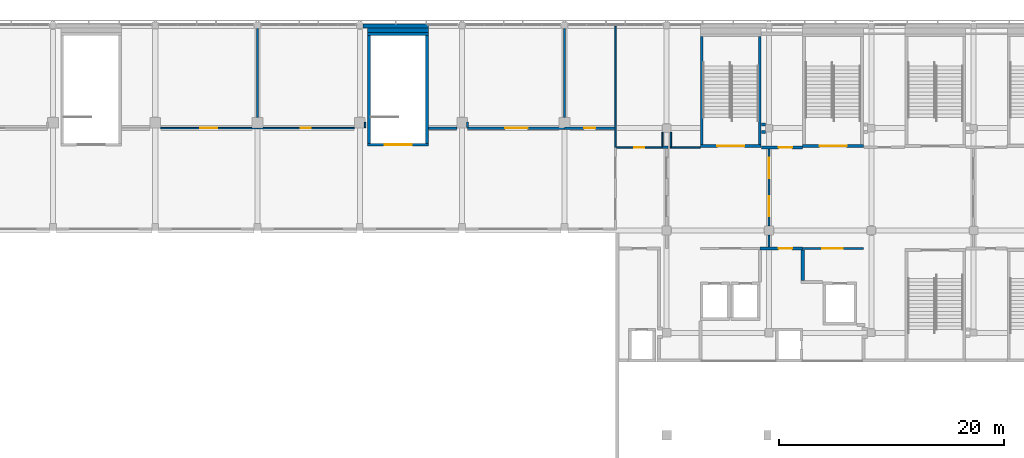
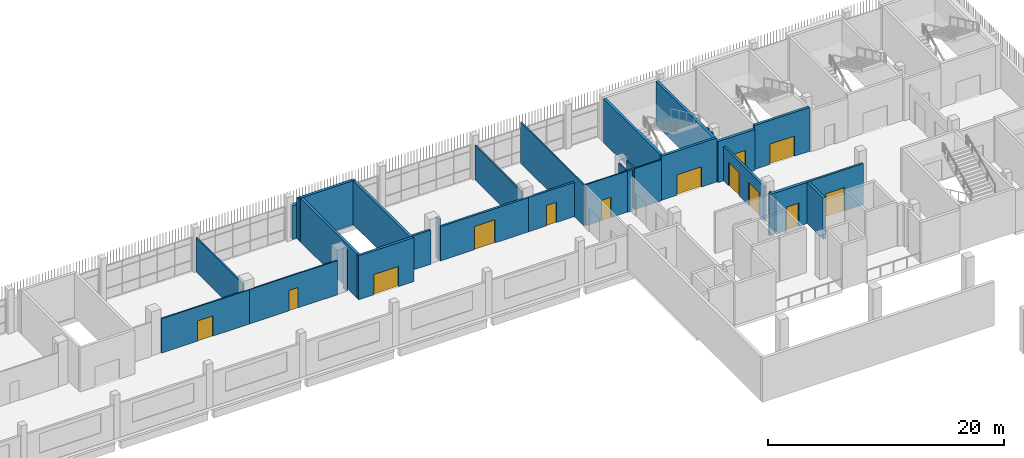
# One storey, part 65 of 104: 33 walls, 13 doors, 13 openings.
"""IFC4 building model written with IfcOpenShell, lengths in metres."""

from ifc_helpers import new_model, si_unit, direction, frame, frame_2d, origin, place, context, subcontext, project, spatial, rectangle, extrude, material, layer, layer_set, type_object, element, fill, save


model = new_model("IFC4")

# Units and contexts
model_context = context("Model", 3, precision=1e-05, world=origin(), true_north=direction((0.0, 1.0)))
body_context = subcontext(model_context, "Body", "Model", "MODEL_VIEW")
ifc_project = project(units=[si_unit("LENGTHUNIT", "METRE"), si_unit("AREAUNIT", "SQUARE_METRE"), si_unit("VOLUMEUNIT", "CUBIC_METRE"), si_unit("PLANEANGLEUNIT", "RADIAN"), si_unit("MASSUNIT", "GRAM", prefix="KILO")], contexts=[model_context])

# Site, building, storey
site_placement = place(None, origin())
site = spatial("IfcSite", under=ifc_project, at=site_placement, CompositionType="ELEMENT")
building_placement = place(site_placement, origin())
building = spatial("IfcBuilding", under=site, at=building_placement, Name="Shirokan Park Arena", CompositionType="ELEMENT")
storey_placement = place(building_placement, frame((0.0, 0.0, 10.919921875)))
storey = spatial("IfcBuildingStorey", under=building, at=storey_placement, Name="L02", CompositionType="ELEMENT", Elevation=10.919921875)

# Wall
ifc_material_1 = material(Name="Gypsum board")
ifc_layer_1 = layer(ifc_material_1, 0.02490234375, Name="Gypsum board, two layers")
ifc_material_2 = material(Name="Mineral wool insulation")
ifc_layer_2 = layer(ifc_material_2, 0.14990234375, Name="Mineral wool insulation")
ifc_layer_3 = layer(ifc_material_1, 0.02490234375, Name="Gypsum board, two layers")
ifc_layer_set_1 = layer_set([ifc_layer_1, ifc_layer_2, ifc_layer_3], Name="Gypsum board, two layers + Mineral wool insulation")
wall_type_1 = type_object("IfcWallType", Name="Corridor wall 200", PredefinedType="PARTITIONING", material=ifc_layer_set_1)
wall_1_placement = place(storey_placement, frame((88.030029296875, 100.10009765625, 0.0), z_axis=(0.0, 0.0, 1.0), x_axis=(1.0, 0.0, 0.0)))
element("IfcWall", 1, at=wall_1_placement, inside=storey, type_object=wall_type_1, Name="Corridor wall 200 L02", PredefinedType="PARTITIONING", context=body_context, shape_type="SweptSolid", body=[
    extrude(rectangle(XDim=2.494873046875, YDim=0.199951171875, at=frame_2d((1.24755859375, 0.0))), origin(), (0.0, 0.0, 1.0), 3.550048828125),
])

# Wall, opening, door
wall_2_placement = place(storey_placement, frame((91.47509765625, 100.10009765625, 0.0), z_axis=(0.0, 0.0, 1.0), x_axis=(1.0, 0.0, 0.0)))
wall_2 = element("IfcWall", 2, at=wall_2_placement, inside=storey, type_object=wall_type_1, Name="Corridor wall 200 L02", PredefinedType="PARTITIONING", context=body_context, shape_type="SweptSolid", body=[
    extrude(rectangle(XDim=8.625, YDim=0.199951171875, at=frame_2d((4.3125, 0.0))), origin(), (0.0, 0.0, 1.0), 3.550048828125),
])
opening_1_placement = place(wall_2_placement, frame((3.35009765625, 0.0, 0.0)))
opening_1 = element("IfcOpeningElement", 3, at=opening_1_placement, cuts=wall_2, Name="Opening D-2035", PredefinedType="OPENING", context=body_context, shape_type="SweptSolid", body=[
    extrude(rectangle(XDim=2.0, YDim=2.39990234375, at=frame_2d((1.0, 1.199951171875))), frame((0.0, 0.10986328125, 0.0), z_axis=(0.0, -1.0, 0.0), x_axis=(1.0, 0.0, 0.0)), (0.0, 0.0, 1.0), 0.219970703125),
])
ifc_material_3 = material(Name="Glazed timber door set, fire resisting", Category="wood")
door_type_1 = type_object("IfcDoorType", Name="Club lounge door 2000 x 2400", OperationType="DOUBLE_DOOR_SINGLE_SWING", PredefinedType="DOOR", material=ifc_material_3)
door_1_placement = place(opening_1_placement, origin())
door_1 = element("IfcDoor", 4, at=door_1_placement, inside=storey, type_object=door_type_1, Name="Door to Club Bar 2.35 D-2035", OperationType="DOUBLE_DOOR_SINGLE_SWING", OverallHeight=2.39990234375, OverallWidth=2.0, PredefinedType="DOOR", context=body_context, shape_type="SweptSolid", body=[
    extrude(rectangle(XDim=2.0, YDim=2.39990234375, at=frame_2d((1.0, 1.199951171875))), frame((0.0, 0.02490234375, 0.0), z_axis=(0.0, -1.0, 0.0), x_axis=(1.0, 0.0, 0.0)), (0.0, 0.0, 1.0), 0.050048828125),
])
fill(opening_1, door_1)

# Wall
wall_3_placement = place(storey_placement, frame((91.47509765625, 100.64990234375, 0.0), z_axis=(0.0, 0.0, 1.0), x_axis=(0.0, -1.0, 0.0)))
element("IfcWall", 5, at=wall_3_placement, inside=storey, type_object=wall_type_1, Name="Corridor wall 200 L02", PredefinedType="PARTITIONING", context=body_context, shape_type="SweptSolid", body=[
    extrude(rectangle(XDim=0.474853515625, YDim=0.199951171875, at=frame_2d((0.2373046875, 0.0))), origin(), (0.0, 0.0, 1.0), 4.25),
])

# Wall, opening, door
wall_4_placement = place(storey_placement, frame((100.10009765625, 100.10009765625, 0.0), z_axis=(0.0, 0.0, 1.0), x_axis=(1.0, 0.0, 0.0)))
wall_4 = element("IfcWall", 6, at=wall_4_placement, inside=storey, type_object=wall_type_1, Name="Corridor wall 200 L02", PredefinedType="PARTITIONING", context=body_context, shape_type="SweptSolid", body=[
    extrude(rectangle(XDim=4.4873046875, YDim=0.199951171875, at=frame_2d((2.24365234375, 0.0))), origin(), (0.0, 0.0, 1.0), 3.550048828125),
])
opening_2_placement = place(wall_4_placement, frame((1.75, 0.0, 0.0)))
opening_2 = element("IfcOpeningElement", 7, at=opening_2_placement, cuts=wall_4, Name="Opening D-2036", PredefinedType="OPENING", context=body_context, shape_type="SweptSolid", body=[
    extrude(rectangle(XDim=1.0, YDim=2.10009765625, at=frame_2d((0.5, 1.050048828125))), frame((0.0, 0.10986328125, 0.0), z_axis=(0.0, -1.0, 0.0), x_axis=(1.0, 0.0, 0.0)), (0.0, 0.0, 1.0), 0.219970703125),
])
ifc_material_4 = material(Name="Timber door set, fire resisting", Category="wood")
door_type_2 = type_object("IfcDoorType", Name="Door 1000 x 2100", OperationType="SINGLE_SWING_LEFT", PredefinedType="DOOR", material=ifc_material_4)
door_2_placement = place(opening_2_placement, origin())
door_2 = element("IfcDoor", 8, at=door_2_placement, inside=storey, type_object=door_type_2, Name="Door to Club Office 2.36 D-2036", OperationType="SINGLE_SWING_LEFT", OverallHeight=2.10009765625, OverallWidth=1.0, PredefinedType="DOOR", context=body_context, shape_type="SweptSolid", body=[
    extrude(rectangle(XDim=1.0, YDim=2.10009765625, at=frame_2d((0.5, 1.050048828125))), frame((0.0, 0.02490234375, 0.0), z_axis=(0.0, -1.0, 0.0), x_axis=(1.0, 0.0, 0.0)), (0.0, 0.0, 1.0), 0.050048828125),
])
fill(opening_2, door_2)

# Walls
wall_5_placement = place(storey_placement, frame((109.300048828125, 98.39990234375, 0.0), z_axis=(0.0, 0.0, 1.0), x_axis=(-1.0, 0.0, 0.0)))
element("IfcWall", 9, at=wall_5_placement, inside=storey, type_object=wall_type_1, Name="Corridor wall 200 L02", PredefinedType="PARTITIONING", context=body_context, shape_type="SweptSolid", body=[
    extrude(rectangle(XDim=0.47509765625, YDim=0.199951171875, at=frame_2d((0.237548828125, 0.0))), origin(), (0.0, 0.0, 1.0), 4.25),
])
wall_6_placement = place(storey_placement, frame((118.300048828125, 89.53759765625, 0.0), z_axis=(0.0, 0.0, 1.0), x_axis=(0.0, 1.0, 0.0)))
element("IfcWall", 10, at=wall_6_placement, inside=storey, type_object=wall_type_1, Name="Corridor wall 200 L02", PredefinedType="PARTITIONING", context=body_context, shape_type="SweptSolid", body=[
    extrude(rectangle(XDim=1.0625, YDim=0.199951171875, at=frame_2d((0.53125, 0.0))), origin(), (0.0, 0.0, 1.0), 3.550048828125),
])

# Wall, openings, doors
wall_7_placement = place(storey_placement, frame((118.300048828125, 91.39990234375, 0.0), z_axis=(0.0, 0.0, 1.0), x_axis=(0.0, 1.0, 0.0)))
wall_7 = element("IfcWall", 11, at=wall_7_placement, inside=storey, type_object=wall_type_1, Name="Corridor wall 200 L02", PredefinedType="PARTITIONING", context=body_context, shape_type="SweptSolid", body=[
    extrude(rectangle(XDim=6.862548828125, YDim=0.199951171875, at=frame_2d((3.43115234375, 0.0))), origin(), (0.0, 0.0, 1.0), 3.550048828125),
])
opening_3_placement = place(wall_7_placement, frame((0.85009765625, 0.0, 0.0)))
opening_3 = element("IfcOpeningElement", 12, at=opening_3_placement, cuts=wall_7, Name="Opening D-2065", PredefinedType="OPENING", context=body_context, shape_type="SweptSolid", body=[
    extrude(rectangle(XDim=1.800048828125, YDim=2.39990234375, at=frame_2d((0.89990234375, 1.199951171875))), frame((0.0, 0.10986328125, 0.0), z_axis=(0.0, -1.0, 0.0), x_axis=(1.0, 0.0, 0.0)), (0.0, 0.0, 1.0), 0.219970703125),
])
opening_4_placement = place(wall_7_placement, frame((4.25, 0.0, 0.0)))
opening_4 = element("IfcOpeningElement", 13, at=opening_4_placement, cuts=wall_7, Name="Opening D-2066", PredefinedType="OPENING", context=body_context, shape_type="SweptSolid", body=[
    extrude(rectangle(XDim=1.800048828125, YDim=2.39990234375, at=frame_2d((0.89990234375, 1.199951171875))), frame((0.0, 0.10986328125, 0.0), z_axis=(0.0, -1.0, 0.0), x_axis=(1.0, 0.0, 0.0)), (0.0, 0.0, 1.0), 0.219970703125),
])
ifc_material_5 = material(Name="Glazed steel door set, fire resisting", Category="steel")
door_type_3 = type_object("IfcDoorType", Name="Lift lobby door 1800 x 2400", OperationType="DOUBLE_DOOR_SINGLE_SWING", PredefinedType="DOOR", material=ifc_material_5)
door_3_placement = place(opening_3_placement, origin())
door_3 = element("IfcDoor", 14, at=door_3_placement, inside=storey, type_object=door_type_3, Name="Door between Club Foyer 3.2.2 and Club Reception 3.2.3 D-2065", OperationType="DOUBLE_DOOR_SINGLE_SWING", OverallHeight=2.39990234375, OverallWidth=1.800048828125, PredefinedType="DOOR", context=body_context, shape_type="SweptSolid", body=[
    extrude(rectangle(XDim=1.800048828125, YDim=2.39990234375, at=frame_2d((0.89990234375, 1.199951171875))), frame((0.0, 0.02490234375, 0.0), z_axis=(0.0, -1.0, 0.0), x_axis=(1.0, 0.0, 0.0)), (0.0, 0.0, 1.0), 0.050048828125),
])
fill(opening_3, door_3)
door_4_placement = place(opening_4_placement, origin())
door_4 = element("IfcDoor", 15, at=door_4_placement, inside=storey, type_object=door_type_3, Name="Door between Club Foyer 3.2.2 and Club Reception 3.2.3 D-2066", OperationType="DOUBLE_DOOR_SINGLE_SWING", OverallHeight=2.39990234375, OverallWidth=1.800048828125, PredefinedType="DOOR", context=body_context, shape_type="SweptSolid", body=[
    extrude(rectangle(XDim=1.800048828125, YDim=2.39990234375, at=frame_2d((0.89990234375, 1.199951171875))), frame((0.0, 0.02490234375, 0.0), z_axis=(0.0, -1.0, 0.0), x_axis=(1.0, 0.0, 0.0)), (0.0, 0.0, 1.0), 0.050048828125),
])
fill(opening_4, door_4)

# Wall, opening, door
wall_8_placement = place(storey_placement, frame((126.699951171875, 89.39990234375, 0.0), z_axis=(0.0, 0.0, 1.0), x_axis=(-1.0, 0.0, 0.0)))
wall_8 = element("IfcWall", 16, at=wall_8_placement, inside=storey, type_object=wall_type_1, Name="Corridor wall 200 L02", PredefinedType="PARTITIONING", context=body_context, shape_type="SweptSolid", body=[
    extrude(rectangle(XDim=5.39990234375, YDim=0.199951171875, at=frame_2d((2.699951171875, 0.0))), origin(), (0.0, 0.0, 1.0), 4.25),
])
opening_5_placement = place(wall_8_placement, frame((1.85009765625, 0.0, 0.0)))
opening_5 = element("IfcOpeningElement", 17, at=opening_5_placement, cuts=wall_8, Name="Opening D-2067", PredefinedType="OPENING", context=body_context, shape_type="SweptSolid", body=[
    extrude(rectangle(XDim=1.800048828125, YDim=2.39990234375, at=frame_2d((0.89990234375, 1.199951171875))), frame((0.0, 0.10986328125, 0.0), z_axis=(0.0, -1.0, 0.0), x_axis=(1.0, 0.0, 0.0)), (0.0, 0.0, 1.0), 0.219970703125),
])
door_5_placement = place(opening_5_placement, origin())
door_5 = element("IfcDoor", 18, at=door_5_placement, inside=storey, type_object=door_type_3, Name="Door between Club Foyer 3.2.2 and Service Lift Lobby 3.2 D-2067", OperationType="DOUBLE_DOOR_SINGLE_SWING", OverallHeight=2.39990234375, OverallWidth=1.800048828125, PredefinedType="DOOR", context=body_context, shape_type="SweptSolid", body=[
    extrude(rectangle(XDim=1.800048828125, YDim=2.39990234375, at=frame_2d((0.89990234375, 1.199951171875))), frame((0.0, 0.02490234375, 0.0), z_axis=(0.0, -1.0, 0.0), x_axis=(1.0, 0.0, 0.0)), (0.0, 0.0, 1.0), 0.050048828125),
])
fill(opening_5, door_5)

# Wall
ifc_material_6 = material(Name="Cedar cladding")
ifc_layer_4 = layer(ifc_material_6, 0.030029296875, Name="Cedar cladding")
ifc_layer_5 = layer(ifc_material_2, 0.10009765625, Name="Mineral wool insulation")
ifc_material_7 = material(Name="Concrete C35", Category="concrete")
ifc_layer_6 = layer(ifc_material_7, 0.199951171875, Name="Concrete C35")
ifc_material_8 = material(Name="Gypsum board lining")
ifc_layer_7 = layer(ifc_material_8, 0.02001953125, Name="Gypsum board lining")
ifc_layer_set_2 = layer_set([ifc_layer_4, ifc_layer_5, ifc_layer_6, ifc_layer_7], Name="Cedar cladding + Mineral wool insulation + Concrete C35 + Gypsum board lining")
wall_type_2 = type_object("IfcWallType", Name="Insulated tower wall 350", PredefinedType="SOLIDWALL", material=ifc_layer_set_2)
wall_9_placement = place(storey_placement, frame((88.0, 109.175048828125, 0.0), z_axis=(0.0, 0.0, 1.0), x_axis=(-1.0, 0.0, 0.0)))
element("IfcWall", 19, at=wall_9_placement, inside=storey, type_object=wall_type_2, Name="North facade wall bay 7 L02", PredefinedType="SOLIDWALL", context=body_context, shape_type="SweptSolid", body=[
    extrude(rectangle(XDim=5.824951171875, YDim=0.35009765625, at=frame_2d((2.91259765625, 0.0))), origin(), (0.0, 0.0, 1.0), 3.5),
])

# Wall, opening, door
ifc_material_9 = material(Name="Ceramic tile")
ifc_layer_8 = layer(ifc_material_9, 0.010009765625, Name="Ceramic tile")
ifc_material_10 = material(Name="Render")
ifc_layer_9 = layer(ifc_material_10, 0.010009765625, Name="Render")
ifc_material_11 = material(Name="Concrete blockwork", Category="masonry")
ifc_layer_10 = layer(ifc_material_11, 0.10009765625, Name="Concrete blockwork 100")
ifc_layer_11 = layer(ifc_material_10, 0.010009765625, Name="Render")
ifc_layer_12 = layer(ifc_material_9, 0.010009765625, Name="Ceramic tile")
ifc_layer_set_3 = layer_set([ifc_layer_8, ifc_layer_9, ifc_layer_10, ifc_layer_11, ifc_layer_12], Name="Ceramic tile + Render + Concrete blockwork 100")
wall_type_3 = type_object("IfcWallType", Name="Kitchen wall 140", PredefinedType="SOLIDWALL", material=ifc_layer_set_3)
wall_10_placement = place(storey_placement, frame((64.175048828125, 100.10009765625, 0.0), z_axis=(0.0, 0.0, 1.0), x_axis=(1.0, 0.0, 0.0)))
wall_10 = element("IfcWall", 20, at=wall_10_placement, inside=storey, type_object=wall_type_3, Name="Kitchen wall 140 L02", PredefinedType="SOLIDWALL", context=body_context, shape_type="SweptSolid", body=[
    extrude(rectangle(XDim=8.625, YDim=0.139892578125, at=frame_2d((4.3125, 0.0))), origin(), (0.0, 0.0, 1.0), 3.550048828125),
])
opening_6_placement = place(wall_10_placement, frame((3.550048828125, 0.0, 0.0)))
opening_6 = element("IfcOpeningElement", 21, at=opening_6_placement, cuts=wall_10, Name="Opening D-2033", PredefinedType="OPENING", context=body_context, shape_type="SweptSolid", body=[
    extrude(rectangle(XDim=1.5, YDim=2.10009765625, at=frame_2d((0.75, 1.050048828125))), frame((0.0, 0.079833984375, 0.0), z_axis=(0.0, -1.0, 0.0), x_axis=(1.0, 0.0, 0.0)), (0.0, 0.0, 1.0), 0.159912109375),
])
ifc_material_12 = material(Name="Stainless steel door set, fire resisting", Category="steel")
door_type_4 = type_object("IfcDoorType", Name="Kitchen door 1500 x 2100", OperationType="DOUBLE_DOOR_SINGLE_SWING", PredefinedType="DOOR", material=ifc_material_12)
door_6_placement = place(opening_6_placement, origin())
door_6 = element("IfcDoor", 22, at=door_6_placement, inside=storey, type_object=door_type_4, Name="Door to Club Kitchen 2.33 D-2033", OperationType="DOUBLE_DOOR_SINGLE_SWING", OverallHeight=2.10009765625, OverallWidth=1.5, PredefinedType="DOOR", context=body_context, shape_type="SweptSolid", body=[
    extrude(rectangle(XDim=1.5, YDim=2.10009765625, at=frame_2d((0.75, 1.050048828125))), frame((0.0, 0.02490234375, 0.0), z_axis=(0.0, -1.0, 0.0), x_axis=(1.0, 0.0, 0.0)), (0.0, 0.0, 1.0), 0.050048828125),
])
fill(opening_6, door_6)

# Wall
wall_11_placement = place(storey_placement, frame((72.800048828125, 108.97509765625, 0.0), z_axis=(0.0, 0.0, 1.0), x_axis=(0.0, -1.0, 0.0)))
element("IfcWall", 23, at=wall_11_placement, inside=storey, type_object=wall_type_3, Name="Kitchen wall 140 L02", PredefinedType="SOLIDWALL", context=body_context, shape_type="SweptSolid", body=[
    extrude(rectangle(XDim=7.925048828125, YDim=0.139892578125, at=frame_2d((3.96240234375, 0.0))), origin(), (0.0, 0.0, 1.0), 3.550048828125),
])

# Wall, opening, door
ifc_material_13 = material(Name="Plaster")
ifc_layer_13 = layer(ifc_material_13, 0.012451171875, Name="Plaster")
ifc_layer_14 = layer(ifc_material_11, 0.25, Name="Concrete blockwork 250")
ifc_layer_15 = layer(ifc_material_13, 0.012451171875, Name="Plaster")
ifc_layer_set_4 = layer_set([ifc_layer_13, ifc_layer_14, ifc_layer_15], Name="Plaster + Concrete blockwork 250")
wall_type_4 = type_object("IfcWallType", Name="Plant room wall 275", PredefinedType="SOLIDWALL", material=ifc_layer_set_4)
wall_12_placement = place(storey_placement, frame((117.6298828125, 98.39990234375, 0.0), z_axis=(0.0, 0.0, 1.0), x_axis=(1.0, 0.0, 0.0)))
wall_12 = element("IfcWall", 24, at=wall_12_placement, inside=storey, type_object=wall_type_4, Name="Plant room wall 275 L02", PredefinedType="SOLIDWALL", context=body_context, shape_type="SweptSolid", body=[
    extrude(rectangle(XDim=3.64013671875, YDim=0.27490234375, at=frame_2d((1.820068359375, 0.0))), origin(), (0.0, 0.0, 1.0), 4.25),
])
opening_7_placement = place(wall_12_placement, frame((1.52001953125, 0.0, 0.0)))
opening_7 = element("IfcOpeningElement", 25, at=opening_7_placement, cuts=wall_12, Name="Opening D-2022", PredefinedType="OPENING", context=body_context, shape_type="SweptSolid", body=[
    extrude(rectangle(XDim=1.199951171875, YDim=2.39990234375, at=frame_2d((0.60009765625, 1.199951171875))), frame((0.0, 0.1474609375, 0.0), z_axis=(0.0, -1.0, 0.0), x_axis=(1.0, 0.0, 0.0)), (0.0, 0.0, 1.0), 0.294921875),
])
ifc_material_14 = material(Name="Louvred steel door set, fire resisting", Category="steel")
door_type_5 = type_object("IfcDoorType", Name="Plant room door 1200 x 2400", OperationType="SINGLE_SWING_LEFT", PredefinedType="DOOR", material=ifc_material_14)
door_7_placement = place(opening_7_placement, origin())
door_7 = element("IfcDoor", 26, at=door_7_placement, inside=storey, type_object=door_type_5, Name="Door to Electrical Room 2.32 D-2022", OperationType="SINGLE_SWING_RIGHT", OverallHeight=2.39990234375, OverallWidth=1.199951171875, PredefinedType="DOOR", context=body_context, shape_type="SweptSolid", body=[
    extrude(rectangle(XDim=1.199951171875, YDim=2.39990234375, at=frame_2d((0.60009765625, 1.199951171875))), frame((0.0, 0.02490234375, 0.0), z_axis=(0.0, -1.0, 0.0), x_axis=(1.0, 0.0, 0.0)), (0.0, 0.0, 1.0), 0.050048828125),
])
fill(opening_7, door_7)

# Walls
for number, where, z_axis, x_axis, name in (
    (27, (117.6298828125, 99.77490234375, 0.0), (0.0, 0.0, 1.0), (1.0, 0.0, 0.0), "Plant room wall 275 L02"),
    (28, (117.97509765625, 100.425048828125, 0.0), (0.0, 0.0, 1.0), (-1.0, 0.0, 0.0), "Plant room wall 275 L02"),
):
    element("IfcWall", number, at=place(storey_placement, frame(where, z_axis=z_axis, x_axis=x_axis)), inside=storey, type_object=wall_type_4, Name=name, PredefinedType="SOLIDWALL", context=body_context, shape_type="SweptSolid", body=[
        extrude(rectangle(XDim=0.34521484375, YDim=0.27490234375, at=frame_2d((0.172607421875, 0.0))), origin(), (0.0, 0.0, 1.0), 4.25),
    ])

# Wall, opening, door
wall_13_placement = place(storey_placement, frame((117.5, 89.39990234375, 0.0), z_axis=(0.0, 0.0, 1.0), x_axis=(1.0, 0.0, 0.0)))
wall_13 = element("IfcWall", 29, at=wall_13_placement, inside=storey, type_object=wall_type_4, Name="Plant room wall 275 L02", PredefinedType="SOLIDWALL", context=body_context, shape_type="SweptSolid", body=[
    extrude(rectangle(XDim=3.800048828125, YDim=0.27490234375, at=frame_2d((1.89990234375, 0.0))), origin(), (0.0, 0.0, 1.0), 4.25),
])
opening_8_placement = place(wall_13_placement, frame((1.64990234375, 0.0, 0.0)))
opening_8 = element("IfcOpeningElement", 30, at=opening_8_placement, cuts=wall_13, Name="Opening D-2018", PredefinedType="OPENING", context=body_context, shape_type="SweptSolid", body=[
    extrude(rectangle(XDim=1.199951171875, YDim=2.39990234375, at=frame_2d((0.60009765625, 1.199951171875))), frame((0.0, 0.1474609375, 0.0), z_axis=(0.0, -1.0, 0.0), x_axis=(1.0, 0.0, 0.0)), (0.0, 0.0, 1.0), 0.294921875),
])
door_8_placement = place(opening_8_placement, origin())
door_8 = element("IfcDoor", 31, at=door_8_placement, inside=storey, type_object=door_type_5, Name="Door to Electrical Room 2.38 D-2018", OperationType="SINGLE_SWING_LEFT", OverallHeight=2.39990234375, OverallWidth=1.199951171875, PredefinedType="DOOR", context=body_context, shape_type="SweptSolid", body=[
    extrude(rectangle(XDim=1.199951171875, YDim=2.39990234375, at=frame_2d((0.60009765625, 1.199951171875))), frame((0.0, 0.02490234375, 0.0), z_axis=(0.0, -1.0, 0.0), x_axis=(1.0, 0.0, 0.0)), (0.0, 0.0, 1.0), 0.050048828125),
])
fill(opening_8, door_8)

# Wall
wall_14_placement = place(storey_placement, frame((121.300048828125, 89.262451171875, 0.0), z_axis=(0.0, 0.0, 1.0), x_axis=(0.0, -1.0, 0.0)))
element("IfcWall", 32, at=wall_14_placement, inside=storey, type_object=wall_type_4, Name="Plant room wall 275 L02", PredefinedType="SOLIDWALL", context=body_context, shape_type="SweptSolid", body=[
    extrude(rectangle(XDim=2.724853515625, YDim=0.27490234375, at=frame_2d((1.3623046875, 0.0))), origin(), (0.0, 0.0, 1.0), 4.25),
])

# Wall, opening, door
ifc_material_15 = material(Name="Concrete C40/50", Category="concrete")
ifc_layer_16 = layer(ifc_material_15, 0.25)
ifc_layer_set_5 = layer_set([ifc_layer_16], Name="Concrete C40/50 250 mm")
wall_type_5 = type_object("IfcWallType", Name="RC shear wall 250", PredefinedType="SHEAR", material=ifc_layer_set_5)
wall_15_placement = place(storey_placement, frame((126.699951171875, 98.52490234375, 0.0), z_axis=(0.0, 0.0, 1.0), x_axis=(-1.0, 0.0, 0.0)))
wall_15 = element("IfcWall", 33, at=wall_15_placement, inside=storey, type_object=wall_type_5, Name="Shaft wall Exit Stair 3.C S L02", PredefinedType="SHEAR", context=body_context, shape_type="SweptSolid", body=[
    extrude(rectangle(XDim=5.39990234375, YDim=0.25, at=frame_2d((2.699951171875, 0.0))), origin(), (0.0, 0.0, 1.0), 4.550048828125),
])
opening_9_placement = place(wall_15_placement, frame((1.5, 0.0, 0.0)))
opening_9 = element("IfcOpeningElement", 34, at=opening_9_placement, cuts=wall_15, Name="Opening D-2108", PredefinedType="OPENING", context=body_context, shape_type="SweptSolid", body=[
    extrude(rectangle(XDim=2.39990234375, YDim=2.10009765625, at=frame_2d((1.199951171875, 1.050048828125))), frame((0.0, 0.135009765625, 0.0), z_axis=(0.0, -1.0, 0.0), x_axis=(1.0, 0.0, 0.0)), (0.0, 0.0, 1.0), 0.27001953125),
])
ifc_material_16 = material(Name="Steel door set, fire resisting", Category="steel")
door_type_6 = type_object("IfcDoorType", Name="Stair door 2400 x 2100", OperationType="DOUBLE_DOOR_SINGLE_SWING", PredefinedType="DOOR", material=ifc_material_16)
door_9_placement = place(opening_9_placement, origin())
door_9 = element("IfcDoor", 35, at=door_9_placement, inside=storey, type_object=door_type_6, Name="Stair door Exit Stair 3.C D-2108", OperationType="DOUBLE_DOOR_SINGLE_SWING", OverallHeight=2.10009765625, OverallWidth=2.39990234375, PredefinedType="DOOR", context=body_context, shape_type="SweptSolid", body=[
    extrude(rectangle(XDim=2.39990234375, YDim=2.10009765625, at=frame_2d((1.199951171875, 1.050048828125))), frame((0.0, 0.02490234375, 0.0), z_axis=(0.0, -1.0, 0.0), x_axis=(1.0, 0.0, 0.0)), (0.0, 0.0, 1.0), 0.050048828125),
])
fill(opening_9, door_9)

wall_16_placement = place(storey_placement, frame((117.60009765625, 98.52490234375, 0.0), z_axis=(0.0, 0.0, 1.0), x_axis=(-1.0, 0.0, 0.0)))
wall_16 = element("IfcWall", 36, at=wall_16_placement, inside=storey, type_object=wall_type_5, Name="Shaft wall Exit Stair 3.D S L02", PredefinedType="SHEAR", context=body_context, shape_type="SweptSolid", body=[
    extrude(rectangle(XDim=5.400146484375, YDim=0.25, at=frame_2d((2.7001953125, 0.0))), origin(), (0.0, 0.0, 1.0), 4.550048828125),
])
opening_10_placement = place(wall_16_placement, frame((1.5, 0.0, 0.0)))
opening_10 = element("IfcOpeningElement", 37, at=opening_10_placement, cuts=wall_16, Name="Opening D-2109", PredefinedType="OPENING", context=body_context, shape_type="SweptSolid", body=[
    extrude(rectangle(XDim=2.39990234375, YDim=2.10009765625, at=frame_2d((1.199951171875, 1.050048828125))), frame((0.0, 0.135009765625, 0.0), z_axis=(0.0, -1.0, 0.0), x_axis=(1.0, 0.0, 0.0)), (0.0, 0.0, 1.0), 0.27001953125),
])
door_10_placement = place(opening_10_placement, origin())
door_10 = element("IfcDoor", 38, at=door_10_placement, inside=storey, type_object=door_type_6, Name="Stair door Exit Stair 3.D D-2109", OperationType="DOUBLE_DOOR_SINGLE_SWING", OverallHeight=2.10009765625, OverallWidth=2.39990234375, PredefinedType="DOOR", context=body_context, shape_type="SweptSolid", body=[
    extrude(rectangle(XDim=2.39990234375, YDim=2.10009765625, at=frame_2d((1.199951171875, 1.050048828125))), frame((0.0, 0.02490234375, 0.0), z_axis=(0.0, -1.0, 0.0), x_axis=(1.0, 0.0, 0.0)), (0.0, 0.0, 1.0), 0.050048828125),
])
fill(opening_10, door_10)

# Walls
for number, where, z_axis, x_axis, name in (
    (39, (112.324951171875, 108.25, 0.0), (0.0, 0.0, 1.0), (0.0, -1.0, 0.0), "Shaft wall Exit Stair 3.D W L02"),
    (40, (117.47509765625, 108.25, 0.0), (0.0, 0.0, 1.0), (0.0, -1.0, 0.0), "Shaft wall Exit Stair 3.D E L02"),
):
    element("IfcWall", number, at=place(storey_placement, frame(where, z_axis=z_axis, x_axis=x_axis)), inside=storey, type_object=wall_type_5, Name=name, PredefinedType="SHEAR", context=body_context, shape_type="SweptSolid", body=[
        extrude(rectangle(XDim=9.60009765625, YDim=0.25, at=frame_2d((4.800048828125, 0.0))), origin(), (0.0, 0.0, 1.0), 4.550048828125),
    ])

# Wall, opening, door
wall_17_placement = place(storey_placement, frame((88.0, 98.625, 0.0), z_axis=(0.0, 0.0, 1.0), x_axis=(-1.0, 0.0, 0.0)))
wall_17 = element("IfcWall", 41, at=wall_17_placement, inside=storey, type_object=wall_type_5, Name="Shaft wall Entrance Stair E4.2 S L02", PredefinedType="SHEAR", context=body_context, shape_type="SweptSolid", body=[
    extrude(rectangle(XDim=5.39990234375, YDim=0.25, at=frame_2d((2.699951171875, 0.0))), origin(), (0.0, 0.0, 1.0), 4.550048828125),
])
opening_11_placement = place(wall_17_placement, frame((1.5, 0.0, 0.0)))
opening_11 = element("IfcOpeningElement", 42, at=opening_11_placement, cuts=wall_17, Name="Opening D-2113", PredefinedType="OPENING", context=body_context, shape_type="SweptSolid", body=[
    extrude(rectangle(XDim=2.39990234375, YDim=2.10009765625, at=frame_2d((1.199951171875, 1.050048828125))), frame((0.0, 0.135009765625, 0.0), z_axis=(0.0, -1.0, 0.0), x_axis=(1.0, 0.0, 0.0)), (0.0, 0.0, 1.0), 0.27001953125),
])
door_11_placement = place(opening_11_placement, origin())
door_11 = element("IfcDoor", 43, at=door_11_placement, inside=storey, type_object=door_type_6, Name="Stair door Entrance Stair E4.2 D-2113", OperationType="DOUBLE_DOOR_SINGLE_SWING", OverallHeight=2.10009765625, OverallWidth=2.39990234375, PredefinedType="DOOR", context=body_context, shape_type="SweptSolid", body=[
    extrude(rectangle(XDim=2.39990234375, YDim=2.10009765625, at=frame_2d((1.199951171875, 1.050048828125))), frame((0.0, 0.02490234375, 0.0), z_axis=(0.0, -1.0, 0.0), x_axis=(1.0, 0.0, 0.0)), (0.0, 0.0, 1.0), 0.050048828125),
])
fill(opening_11, door_11)

# Walls
wall_18_placement = place(storey_placement, frame((88.0, 108.47509765625, 0.0), z_axis=(0.0, 0.0, 1.0), x_axis=(-1.0, 0.0, 0.0)))
element("IfcWall", 44, at=wall_18_placement, inside=storey, type_object=wall_type_5, Name="Shaft wall Entrance Stair E4.2 N L02", PredefinedType="SHEAR", context=body_context, shape_type="SweptSolid", body=[
    extrude(rectangle(XDim=5.39990234375, YDim=0.25, at=frame_2d((2.699951171875, 0.0))), origin(), (0.0, 0.0, 1.0), 4.550048828125),
])
for number, where, z_axis, x_axis, name in (
    (45, (82.72509765625, 108.35009765625, 0.0), (0.0, 0.0, 1.0), (0.0, -1.0, 0.0), "Shaft wall Entrance Stair E4.2 W L02"),
    (46, (87.875, 108.35009765625, 0.0), (0.0, 0.0, 1.0), (0.0, -1.0, 0.0), "Shaft wall Entrance Stair E4.2 E L02"),
):
    element("IfcWall", number, at=place(storey_placement, frame(where, z_axis=z_axis, x_axis=x_axis)), inside=storey, type_object=wall_type_5, Name=name, PredefinedType="SHEAR", context=body_context, shape_type="SweptSolid", body=[
        extrude(rectangle(XDim=9.60009765625, YDim=0.25, at=frame_2d((4.800048828125, 0.0))), origin(), (0.0, 0.0, 1.0), 4.550048828125),
    ])
ifc_layer_17 = layer(ifc_material_1, 0.012451171875, Name="Gypsum board")
ifc_layer_18 = layer(ifc_material_2, 0.125, Name="Mineral wool insulation")
ifc_layer_19 = layer(ifc_material_1, 0.012451171875, Name="Gypsum board")
ifc_layer_set_6 = layer_set([ifc_layer_17, ifc_layer_18, ifc_layer_19], Name="Gypsum board + Mineral wool insulation")
wall_type_6 = type_object("IfcWallType", Name="Room partition 150", PredefinedType="PARTITIONING", material=ifc_layer_set_6)
wall_19_placement = place(storey_placement, frame((100.10009765625, 108.97509765625, 0.0), z_axis=(0.0, 0.0, 1.0), x_axis=(0.0, -1.0, 0.0)))
element("IfcWall", 47, at=wall_19_placement, inside=storey, type_object=wall_type_6, Name="Room partition 150 L02", PredefinedType="PARTITIONING", context=body_context, shape_type="SweptSolid", body=[
    extrude(rectangle(XDim=7.925048828125, YDim=0.14990234375, at=frame_2d((3.96240234375, 0.0))), origin(), (0.0, 0.0, 1.0), 3.550048828125),
])
ifc_layer_20 = layer(ifc_material_7, 0.39990234375)
ifc_layer_set_7 = layer_set([ifc_layer_20], Name="Concrete C35 400 mm")
wall_type_7 = type_object("IfcWallType", Name="Shaft infill wall 400", PredefinedType="SOLIDWALL", material=ifc_layer_set_7)
wall_20_placement = place(storey_placement, frame((82.60009765625, 108.800048828125, 0.0), z_axis=(0.0, 0.0, 1.0), x_axis=(1.0, 0.0, 0.0)))
element("IfcWall", 48, at=wall_20_placement, inside=storey, type_object=wall_type_7, Name="Shaft infill wall L02", PredefinedType="SOLIDWALL", context=body_context, shape_type="SweptSolid", body=[
    extrude(rectangle(XDim=5.39990234375, YDim=0.39990234375, at=frame_2d((2.699951171875, 0.0))), origin(), (0.0, 0.0, 1.0), 4.25),
])

# Wall, opening, door
ifc_layer_21 = layer(ifc_material_9, 0.010009765625, Name="Ceramic tile")
ifc_material_17 = material(Name="Cement board")
ifc_layer_22 = layer(ifc_material_17, 0.012451171875, Name="Cement board")
ifc_layer_23 = layer(ifc_material_2, 0.080078125, Name="Mineral wool insulation")
ifc_layer_24 = layer(ifc_material_17, 0.012451171875, Name="Cement board")
ifc_layer_25 = layer(ifc_material_9, 0.010009765625, Name="Ceramic tile")
ifc_layer_set_8 = layer_set([ifc_layer_21, ifc_layer_22, ifc_layer_23, ifc_layer_24, ifc_layer_25], Name="Ceramic tile + Cement board + Mineral wool insulation")
wall_type_8 = type_object("IfcWallType", Name="Wet-area wall 125", PredefinedType="PARTITIONING", material=ifc_layer_set_8)
wall_21_placement = place(storey_placement, frame((72.800048828125, 100.10009765625, 0.0), z_axis=(0.0, 0.0, 1.0), x_axis=(1.0, 0.0, 0.0)))
wall_21 = element("IfcWall", 49, at=wall_21_placement, inside=storey, type_object=wall_type_8, Name="Wet-area wall 125 L02", PredefinedType="PARTITIONING", context=body_context, shape_type="SweptSolid", body=[
    extrude(rectangle(XDim=8.625, YDim=0.125, at=frame_2d((4.3125, 0.0))), origin(), (0.0, 0.0, 1.0), 3.550048828125),
])
opening_12_placement = place(wall_21_placement, frame((3.85009765625, 0.0, 0.0)))
opening_12 = element("IfcOpeningElement", 50, at=opening_12_placement, cuts=wall_21, Name="Opening D-2034", PredefinedType="OPENING", context=body_context, shape_type="SweptSolid", body=[
    extrude(rectangle(XDim=0.89990234375, YDim=2.10009765625, at=frame_2d((0.449951171875, 1.050048828125))), frame((0.0, 0.072509765625, 0.0), z_axis=(0.0, -1.0, 0.0), x_axis=(1.0, 0.0, 0.0)), (0.0, 0.0, 1.0), 0.14501953125),
])
door_type_7 = type_object("IfcDoorType", Name="Door 900 x 2100", OperationType="SINGLE_SWING_LEFT", PredefinedType="DOOR", material=ifc_material_4)
door_12_placement = place(opening_12_placement, origin())
door_12 = element("IfcDoor", 51, at=door_12_placement, inside=storey, type_object=door_type_7, Name="Door to Men's WC 2.34 D-2034", OperationType="SINGLE_SWING_RIGHT", OverallHeight=2.10009765625, OverallWidth=0.89990234375, PredefinedType="DOOR", context=body_context, shape_type="SweptSolid", body=[
    extrude(rectangle(XDim=0.89990234375, YDim=2.10009765625, at=frame_2d((0.449951171875, 1.050048828125))), frame((0.0, 0.02490234375, 0.0), z_axis=(0.0, -1.0, 0.0), x_axis=(1.0, 0.0, 0.0)), (0.0, 0.0, 1.0), 0.050048828125),
])
fill(opening_12, door_12)

# Walls
wall_22_placement = place(storey_placement, frame((82.375, 100.625, 0.0), z_axis=(0.0, 0.0, 1.0), x_axis=(0.0, -1.0, 0.0)))
element("IfcWall", 52, at=wall_22_placement, inside=storey, type_object=wall_type_8, Name="Wet-area wall 125 L02", PredefinedType="PARTITIONING", context=body_context, shape_type="SweptSolid", body=[
    extrude(rectangle(XDim=0.47509765625, YDim=0.125, at=frame_2d((0.237548828125, 0.0))), origin(), (0.0, 0.0, 1.0), 4.25),
])
wall_23_placement = place(storey_placement, frame((104.64990234375, 98.39990234375, 0.0), z_axis=(0.0, 0.0, 1.0), x_axis=(0.0, 1.0, 0.0)))
element("IfcWall", 53, at=wall_23_placement, inside=storey, type_object=wall_type_8, Name="Wet-area wall 125 L02", PredefinedType="PARTITIONING", context=body_context, shape_type="SweptSolid", body=[
    extrude(rectangle(XDim=10.77001953125, YDim=0.125, at=frame_2d((5.385009765625, 0.0))), origin(), (0.0, 0.0, 1.0), 4.25),
])

# Wall, opening, door
wall_24_placement = place(storey_placement, frame((104.75, 98.39990234375, 0.0), z_axis=(0.0, 0.0, 1.0), x_axis=(1.0, 0.0, 0.0)))
wall_24 = element("IfcWall", 54, at=wall_24_placement, inside=storey, type_object=wall_type_8, Name="Wet-area wall 125 L02", PredefinedType="PARTITIONING", context=body_context, shape_type="SweptSolid", body=[
    extrude(rectangle(XDim=4.074951171875, YDim=0.125, at=frame_2d((2.03759765625, 0.0))), origin(), (0.0, 0.0, 1.0), 4.25),
])
opening_13_placement = place(wall_24_placement, frame((1.550048828125, 0.0, 0.0)))
opening_13 = element("IfcOpeningElement", 55, at=opening_13_placement, cuts=wall_24, Name="Opening D-2023", PredefinedType="OPENING", context=body_context, shape_type="SweptSolid", body=[
    extrude(rectangle(XDim=0.89990234375, YDim=2.10009765625, at=frame_2d((0.449951171875, 1.050048828125))), frame((0.0, 0.072509765625, 0.0), z_axis=(0.0, -1.0, 0.0), x_axis=(1.0, 0.0, 0.0)), (0.0, 0.0, 1.0), 0.14501953125),
])
door_13_placement = place(opening_13_placement, origin())
door_13 = element("IfcDoor", 56, at=door_13_placement, inside=storey, type_object=door_type_7, Name="Door to Staff WC 2.33 D-2023", OperationType="SINGLE_SWING_RIGHT", OverallHeight=2.10009765625, OverallWidth=0.89990234375, PredefinedType="DOOR", context=body_context, shape_type="SweptSolid", body=[
    extrude(rectangle(XDim=0.89990234375, YDim=2.10009765625, at=frame_2d((0.449951171875, 1.050048828125))), frame((0.0, 0.02490234375, 0.0), z_axis=(0.0, -1.0, 0.0), x_axis=(1.0, 0.0, 0.0)), (0.0, 0.0, 1.0), 0.050048828125),
])
fill(opening_13, door_13)

# Walls
wall_25_placement = place(storey_placement, frame((108.824951171875, 98.5, 0.0), z_axis=(0.0, 0.0, 1.0), x_axis=(0.0, 1.0, 0.0)))
element("IfcWall", 57, at=wall_25_placement, inside=storey, type_object=wall_type_8, Name="Wet-area wall 125 L02", PredefinedType="PARTITIONING", context=body_context, shape_type="SweptSolid", body=[
    extrude(rectangle(XDim=1.22509765625, YDim=0.125, at=frame_2d((0.612548828125, 0.0))), origin(), (0.0, 0.0, 1.0), 4.25),
])
wall_26_placement = place(storey_placement, frame((109.512451171875, 98.39990234375, 0.0), z_axis=(0.0, 0.0, 1.0), x_axis=(1.0, 0.0, 0.0)))
element("IfcWall", 58, at=wall_26_placement, inside=storey, type_object=wall_type_8, Name="Wet-area wall 125 L02", PredefinedType="PARTITIONING", context=body_context, shape_type="SweptSolid", body=[
    extrude(rectangle(XDim=2.657470703125, YDim=0.125, at=frame_2d((1.32861328125, 0.0))), origin(), (0.0, 0.0, 1.0), 4.25),
])
wall_27_placement = place(storey_placement, frame((109.574951171875, 99.72509765625, 0.0), z_axis=(0.0, 0.0, 1.0), x_axis=(0.0, -1.0, 0.0)))
element("IfcWall", 59, at=wall_27_placement, inside=storey, type_object=wall_type_8, Name="Wet-area wall 125 L02", PredefinedType="PARTITIONING", context=body_context, shape_type="SweptSolid", body=[
    extrude(rectangle(XDim=1.2626953125, YDim=0.125, at=frame_2d((0.63134765625, 0.0))), origin(), (0.0, 0.0, 1.0), 4.25),
])

save(model, "model.ifc")
